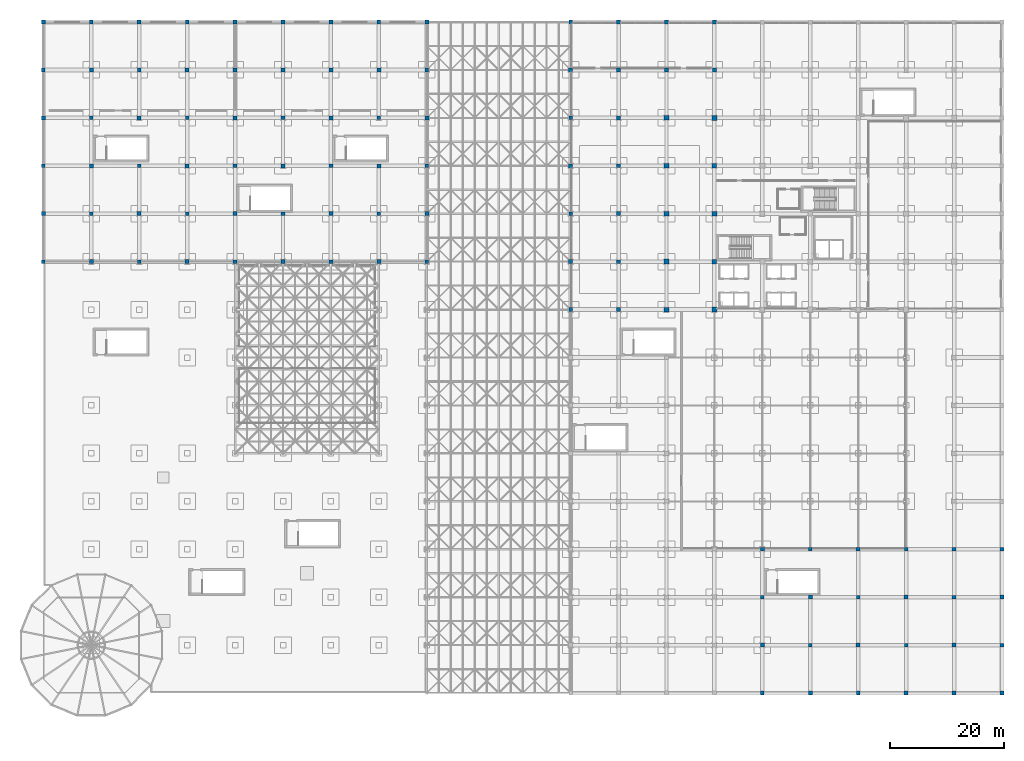
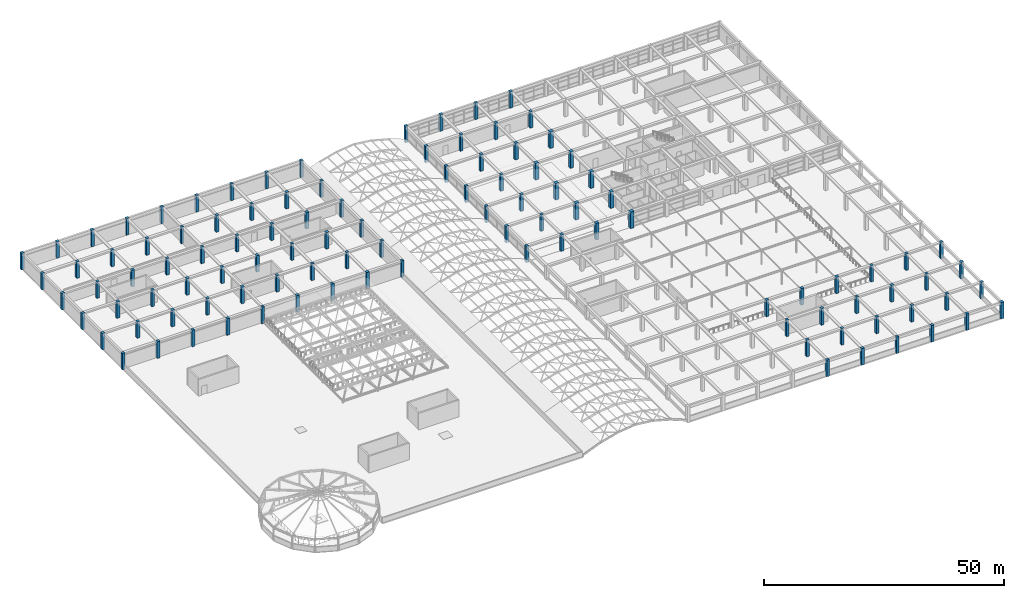
# One storey, part 6 of 85: 106 columns.
"""IFC4 building model written with IfcOpenShell, lengths in metres."""

from ifc_helpers import new_model, si_unit, direction, frame, origin, origin_2d, place, context, subcontext, project, spatial, rectangle, extrude, material, material_profile, profile_set, type_object, element, save


model = new_model("IFC4")

# Units and contexts
model_context = context("Model", 3, precision=1e-05, world=origin(), true_north=direction((0.0, 1.0)))
body_context = subcontext(model_context, "Body", "Model", "MODEL_VIEW")
ifc_project = project(units=[si_unit("LENGTHUNIT", "METRE"), si_unit("AREAUNIT", "SQUARE_METRE"), si_unit("VOLUMEUNIT", "CUBIC_METRE"), si_unit("PLANEANGLEUNIT", "RADIAN"), si_unit("MASSUNIT", "GRAM", prefix="KILO")], contexts=[model_context])

# Site, building, storey
site_placement = place(None, origin())
site = spatial("IfcSite", under=ifc_project, at=site_placement, CompositionType="ELEMENT")
building_placement = place(site_placement, origin())
building = spatial("IfcBuilding", under=site, at=building_placement, Name="Almacenes y Pasaje Nevantli", CompositionType="ELEMENT")
storey_placement = place(building_placement, frame((0.0, 0.0, 22.199951171875)))
storey = spatial("IfcBuildingStorey", under=building, at=storey_placement, Name="L05", CompositionType="ELEMENT", Elevation=22.199951171875)

# Columns
ifc_material_1 = material(Name="Concrete C45/55", Category="concrete")
ifc_material_profile_1 = material_profile(ifc_material_1, rectangle(XDim=0.64990234375, YDim=0.64990234375, at=origin_2d()), Name="RC-COL-650x650")
ifc_profile_set_1 = profile_set([ifc_material_profile_1], Name="Concrete C45/55")
column_type_1 = type_object("IfcColumnType", Name="COL-RC-650", PredefinedType="COLUMN", material=ifc_profile_set_1)
for number, where, z_axis, x_axis, name in (
    (1, (0.0, 75.60009765625, 0.0), (0.0, 0.0, 1.0), (1.0, 0.0, 0.0), "L05 Reinforced Concrete Column CL-07 #1862"),
    (2, (0.0, 92.39990234375, 0.0), (0.0, 0.0, 1.0), (1.0, 0.0, 0.0), "L05 Reinforced Concrete Column CL-07 #1864"),
    (3, (0.0, 109.199951171875, 0.0), (0.0, 0.0, 1.0), (1.0, 0.0, 0.0), "L05 Reinforced Concrete Column CL-07 #1866"),
    (4, (8.39990234375, 84.0, 0.0), (0.0, 0.0, 1.0), (1.0, 0.0, 0.0), "L05 Reinforced Concrete Column CL-07 #1869"),
    (5, (8.39990234375, 100.800048828125, 0.0), (0.0, 0.0, 1.0), (1.0, 0.0, 0.0), "L05 Reinforced Concrete Column CL-07 #1871"),
    (6, (8.39990234375, 117.60009765625, 0.0), (0.0, 0.0, 1.0), (1.0, 0.0, 0.0), "L05 Reinforced Concrete Column CL-07 #1873"),
    (7, (16.800048828125, 75.60009765625, 0.0), (0.0, 0.0, 1.0), (1.0, 0.0, 0.0), "L05 Reinforced Concrete Column CL-07 #1874"),
    (8, (16.800048828125, 92.39990234375, 0.0), (0.0, 0.0, 1.0), (1.0, 0.0, 0.0), "L05 Reinforced Concrete Column CL-07 #1876"),
    (9, (16.800048828125, 109.199951171875, 0.0), (0.0, 0.0, 1.0), (1.0, 0.0, 0.0), "L05 Reinforced Concrete Column CL-07 #1878"),
    (10, (25.199951171875, 84.0, 0.0), (0.0, 0.0, 1.0), (1.0, 0.0, 0.0), "L05 Reinforced Concrete Column CL-07 #1881"),
    (11, (25.199951171875, 100.800048828125, 0.0), (0.0, 0.0, 1.0), (1.0, 0.0, 0.0), "L05 Reinforced Concrete Column CL-07 #1883"),
    (12, (25.199951171875, 117.60009765625, 0.0), (0.0, 0.0, 1.0), (1.0, 0.0, 0.0), "L05 Reinforced Concrete Column CL-07 #1885"),
    (13, (33.60009765625, 75.60009765625, 0.0), (0.0, 0.0, 1.0), (1.0, 0.0, 0.0), "L05 Reinforced Concrete Column CL-07 #1886"),
    (14, (33.60009765625, 92.39990234375, 0.0), (0.0, 0.0, 1.0), (1.0, 0.0, 0.0), "L05 Reinforced Concrete Column CL-07 #1888"),
    (15, (33.60009765625, 109.199951171875, 0.0), (0.0, 0.0, 1.0), (1.0, 0.0, 0.0), "L05 Reinforced Concrete Column CL-07 #1890"),
    (16, (42.0, 84.0, 0.0), (0.0, 0.0, 1.0), (1.0, 0.0, 0.0), "L05 Reinforced Concrete Column CL-07 #1893"),
    (17, (42.0, 100.800048828125, 0.0), (0.0, 0.0, 1.0), (1.0, 0.0, 0.0), "L05 Reinforced Concrete Column CL-07 #1895"),
    (18, (42.0, 117.60009765625, 0.0), (0.0, 0.0, 1.0), (1.0, 0.0, 0.0), "L05 Reinforced Concrete Column CL-07 #1897"),
    (19, (50.39990234375, 75.60009765625, 0.0), (0.0, 0.0, 1.0), (1.0, 0.0, 0.0), "L05 Reinforced Concrete Column CL-07 #1898"),
    (20, (50.39990234375, 92.39990234375, 0.0), (0.0, 0.0, 1.0), (1.0, 0.0, 0.0), "L05 Reinforced Concrete Column CL-07 #1900"),
    (21, (50.39990234375, 109.199951171875, 0.0), (0.0, 0.0, 1.0), (1.0, 0.0, 0.0), "L05 Reinforced Concrete Column CL-07 #1902"),
    (22, (58.800048828125, 84.0, 0.0), (0.0, 0.0, 1.0), (1.0, 0.0, 0.0), "L05 Reinforced Concrete Column CL-07 #1905"),
    (23, (58.800048828125, 100.800048828125, 0.0), (0.0, 0.0, 1.0), (1.0, 0.0, 0.0), "L05 Reinforced Concrete Column CL-07 #1907"),
    (24, (58.800048828125, 117.60009765625, 0.0), (0.0, 0.0, 1.0), (1.0, 0.0, 0.0), "L05 Reinforced Concrete Column CL-07 #1909"),
    (25, (67.199951171875, 75.60009765625, 0.0), (0.0, 0.0, 1.0), (1.0, 0.0, 0.0), "L05 Reinforced Concrete Column CL-07 #1910"),
    (26, (67.199951171875, 92.39990234375, 0.0), (0.0, 0.0, 1.0), (1.0, 0.0, 0.0), "L05 Reinforced Concrete Column CL-07 #1912"),
    (27, (67.199951171875, 109.199951171875, 0.0), (0.0, 0.0, 1.0), (1.0, 0.0, 0.0), "L05 Reinforced Concrete Column CL-07 #1914"),
    (28, (92.39990234375, 67.199951171875, 0.0), (0.0, 0.0, 1.0), (1.0, 0.0, 0.0), "L05 Reinforced Concrete Column CL-07 #1924"),
    (29, (92.39990234375, 84.0, 0.0), (0.0, 0.0, 1.0), (1.0, 0.0, 0.0), "L05 Reinforced Concrete Column CL-07 #1926"),
    (30, (92.39990234375, 100.800048828125, 0.0), (0.0, 0.0, 1.0), (1.0, 0.0, 0.0), "L05 Reinforced Concrete Column CL-07 #1928"),
    (31, (92.39990234375, 117.60009765625, 0.0), (0.0, 0.0, 1.0), (1.0, 0.0, 0.0), "L05 Reinforced Concrete Column CL-07 #1930"),
    (32, (100.800048828125, 75.60009765625, 0.0), (0.0, 0.0, 1.0), (1.0, 0.0, 0.0), "L05 Reinforced Concrete Column CL-07 #1940"),
    (33, (100.800048828125, 92.39990234375, 0.0), (0.0, 0.0, 1.0), (1.0, 0.0, 0.0), "L05 Reinforced Concrete Column CL-07 #1942"),
    (34, (100.800048828125, 109.199951171875, 0.0), (0.0, 0.0, 1.0), (1.0, 0.0, 0.0), "L05 Reinforced Concrete Column CL-07 #1944"),
    (35, (109.199951171875, 117.60009765625, 0.0), (0.0, 0.0, 1.0), (1.0, 0.0, 0.0), "L05 Reinforced Concrete Column CL-07 #1960"),
    (36, (117.60009765625, 109.199951171875, 0.0), (0.0, 0.0, 1.0), (1.0, 0.0, 0.0), "L05 Reinforced Concrete Column CL-07 #1970"),
    (37, (126.0, 0.0, 0.0), (0.0, 0.0, 1.0), (1.0, 0.0, 0.0), "L05 Reinforced Concrete Column CL-07 #1972"),
    (38, (126.0, 16.800048828125, 0.0), (0.0, 0.0, 1.0), (1.0, 0.0, 0.0), "L05 Reinforced Concrete Column CL-07 #1974"),
    (39, (134.39990234375, 8.39990234375, 0.0), (0.0, 0.0, 1.0), (1.0, 0.0, 0.0), "L05 Reinforced Concrete Column CL-07 #1984"),
    (40, (134.39990234375, 25.199951171875, 0.0), (0.0, 0.0, 1.0), (1.0, 0.0, 0.0), "L05 Reinforced Concrete Column CL-07 #1986"),
    (41, (142.800048828125, 0.0, 0.0), (0.0, 0.0, 1.0), (1.0, 0.0, 0.0), "L05 Reinforced Concrete Column CL-07 #1994"),
    (42, (142.800048828125, 16.800048828125, 0.0), (0.0, 0.0, 1.0), (1.0, 0.0, 0.0), "L05 Reinforced Concrete Column CL-07 #1996"),
    (43, (151.199951171875, 8.39990234375, 0.0), (0.0, 0.0, 1.0), (1.0, 0.0, 0.0), "L05 Reinforced Concrete Column CL-07 #2006"),
    (44, (151.199951171875, 25.199951171875, 0.0), (0.0, 0.0, 1.0), (1.0, 0.0, 0.0), "L05 Reinforced Concrete Column CL-07 #2008"),
    (45, (159.60009765625, 0.0, 0.0), (0.0, 0.0, 1.0), (1.0, 0.0, 0.0), "L05 Reinforced Concrete Column CL-07 #2016"),
    (46, (159.60009765625, 16.800048828125, 0.0), (0.0, 0.0, 1.0), (1.0, 0.0, 0.0), "L05 Reinforced Concrete Column CL-07 #2018"),
    (47, (168.0, 8.39990234375, 0.0), (0.0, 0.0, 1.0), (1.0, 0.0, 0.0), "L05 Reinforced Concrete Column CL-07 #2032"),
    (48, (168.0, 25.199951171875, 0.0), (0.0, 0.0, 1.0), (1.0, 0.0, 0.0), "L05 Reinforced Concrete Column CL-07 #2034"),
):
    element("IfcColumn", number, at=place(storey_placement, frame(where, z_axis=z_axis, x_axis=x_axis)), inside=storey, type_object=column_type_1, Name=name, PredefinedType="COLUMN", context=body_context, shape_type="SweptSolid", body=[
        extrude(rectangle(XDim=0.64990234375, YDim=0.64990234375, at=origin_2d()), origin(), (0.0, 0.0, 1.0), 4.219970703125),
    ])
ifc_material_2 = material(Name="Concrete C45/55", Category="concrete")
ifc_material_profile_2 = material_profile(ifc_material_2, rectangle(XDim=0.699951171875, YDim=0.699951171875, at=origin_2d()), Name="RC-COL-700x700")
ifc_profile_set_2 = profile_set([ifc_material_profile_2], Name="Concrete C45/55")
column_type_2 = type_object("IfcColumnType", Name="COL-RC-700", PredefinedType="COLUMN", material=ifc_profile_set_2)
for number, where, z_axis, x_axis, name in (
    (49, (0.0, 84.0, 0.0), (0.0, 0.0, 1.0), (1.0, 0.0, 0.0), "L05 Reinforced Concrete Column CL-06 #1863"),
    (50, (0.0, 100.800048828125, 0.0), (0.0, 0.0, 1.0), (1.0, 0.0, 0.0), "L05 Reinforced Concrete Column CL-06 #1865"),
    (51, (0.0, 117.60009765625, 0.0), (0.0, 0.0, 1.0), (1.0, 0.0, 0.0), "L05 Reinforced Concrete Column CL-06 #1867"),
    (52, (8.39990234375, 75.60009765625, 0.0), (0.0, 0.0, 1.0), (1.0, 0.0, 0.0), "L05 Reinforced Concrete Column CL-06 #1868"),
    (53, (8.39990234375, 92.39990234375, 0.0), (0.0, 0.0, 1.0), (1.0, 0.0, 0.0), "L05 Reinforced Concrete Column CL-06 #1870"),
    (54, (8.39990234375, 109.199951171875, 0.0), (0.0, 0.0, 1.0), (1.0, 0.0, 0.0), "L05 Reinforced Concrete Column CL-06 #1872"),
    (55, (16.800048828125, 84.0, 0.0), (0.0, 0.0, 1.0), (1.0, 0.0, 0.0), "L05 Reinforced Concrete Column CL-06 #1875"),
    (56, (16.800048828125, 100.800048828125, 0.0), (0.0, 0.0, 1.0), (1.0, 0.0, 0.0), "L05 Reinforced Concrete Column CL-06 #1877"),
    (57, (16.800048828125, 117.60009765625, 0.0), (0.0, 0.0, 1.0), (1.0, 0.0, 0.0), "L05 Reinforced Concrete Column CL-06 #1879"),
    (58, (25.199951171875, 75.60009765625, 0.0), (0.0, 0.0, 1.0), (1.0, 0.0, 0.0), "L05 Reinforced Concrete Column CL-06 #1880"),
    (59, (25.199951171875, 92.39990234375, 0.0), (0.0, 0.0, 1.0), (1.0, 0.0, 0.0), "L05 Reinforced Concrete Column CL-06 #1882"),
    (60, (25.199951171875, 109.199951171875, 0.0), (0.0, 0.0, 1.0), (1.0, 0.0, 0.0), "L05 Reinforced Concrete Column CL-06 #1884"),
    (61, (33.60009765625, 84.0, 0.0), (0.0, 0.0, 1.0), (1.0, 0.0, 0.0), "L05 Reinforced Concrete Column CL-06 #1887"),
    (62, (33.60009765625, 100.800048828125, 0.0), (0.0, 0.0, 1.0), (1.0, 0.0, 0.0), "L05 Reinforced Concrete Column CL-06 #1889"),
    (63, (33.60009765625, 117.60009765625, 0.0), (0.0, 0.0, 1.0), (1.0, 0.0, 0.0), "L05 Reinforced Concrete Column CL-06 #1891"),
    (64, (42.0, 75.60009765625, 0.0), (0.0, 0.0, 1.0), (1.0, 0.0, 0.0), "L05 Reinforced Concrete Column CL-06 #1892"),
    (65, (42.0, 92.39990234375, 0.0), (0.0, 0.0, 1.0), (1.0, 0.0, 0.0), "L05 Reinforced Concrete Column CL-06 #1894"),
    (66, (42.0, 109.199951171875, 0.0), (0.0, 0.0, 1.0), (1.0, 0.0, 0.0), "L05 Reinforced Concrete Column CL-06 #1896"),
    (67, (50.39990234375, 84.0, 0.0), (0.0, 0.0, 1.0), (1.0, 0.0, 0.0), "L05 Reinforced Concrete Column CL-06 #1899"),
    (68, (50.39990234375, 100.800048828125, 0.0), (0.0, 0.0, 1.0), (1.0, 0.0, 0.0), "L05 Reinforced Concrete Column CL-06 #1901"),
    (69, (50.39990234375, 117.60009765625, 0.0), (0.0, 0.0, 1.0), (1.0, 0.0, 0.0), "L05 Reinforced Concrete Column CL-06 #1903"),
    (70, (58.800048828125, 75.60009765625, 0.0), (0.0, 0.0, 1.0), (1.0, 0.0, 0.0), "L05 Reinforced Concrete Column CL-06 #1904"),
    (71, (58.800048828125, 92.39990234375, 0.0), (0.0, 0.0, 1.0), (1.0, 0.0, 0.0), "L05 Reinforced Concrete Column CL-06 #1906"),
    (72, (58.800048828125, 109.199951171875, 0.0), (0.0, 0.0, 1.0), (1.0, 0.0, 0.0), "L05 Reinforced Concrete Column CL-06 #1908"),
    (73, (67.199951171875, 84.0, 0.0), (0.0, 0.0, 1.0), (1.0, 0.0, 0.0), "L05 Reinforced Concrete Column CL-06 #1911"),
    (74, (67.199951171875, 100.800048828125, 0.0), (0.0, 0.0, 1.0), (1.0, 0.0, 0.0), "L05 Reinforced Concrete Column CL-06 #1913"),
    (75, (67.199951171875, 117.60009765625, 0.0), (0.0, 0.0, 1.0), (1.0, 0.0, 0.0), "L05 Reinforced Concrete Column CL-06 #1915"),
    (76, (92.39990234375, 75.60009765625, 0.0), (0.0, 0.0, 1.0), (1.0, 0.0, 0.0), "L05 Reinforced Concrete Column CL-06 #1925"),
    (77, (92.39990234375, 92.39990234375, 0.0), (0.0, 0.0, 1.0), (1.0, 0.0, 0.0), "L05 Reinforced Concrete Column CL-06 #1927"),
    (78, (92.39990234375, 109.199951171875, 0.0), (0.0, 0.0, 1.0), (1.0, 0.0, 0.0), "L05 Reinforced Concrete Column CL-06 #1929"),
    (79, (100.800048828125, 67.199951171875, 0.0), (0.0, 0.0, 1.0), (1.0, 0.0, 0.0), "L05 Reinforced Concrete Column CL-06 #1939"),
    (80, (100.800048828125, 84.0, 0.0), (0.0, 0.0, 1.0), (1.0, 0.0, 0.0), "L05 Reinforced Concrete Column CL-06 #1941"),
    (81, (100.800048828125, 100.800048828125, 0.0), (0.0, 0.0, 1.0), (1.0, 0.0, 0.0), "L05 Reinforced Concrete Column CL-06 #1943"),
    (82, (100.800048828125, 117.60009765625, 0.0), (0.0, 0.0, 1.0), (1.0, 0.0, 0.0), "L05 Reinforced Concrete Column CL-06 #1945"),
    (83, (109.199951171875, 109.199951171875, 0.0), (0.0, 0.0, 1.0), (1.0, 0.0, 0.0), "L05 Reinforced Concrete Column CL-06 #1959"),
    (84, (117.60009765625, 117.60009765625, 0.0), (0.0, 0.0, 1.0), (1.0, 0.0, 0.0), "L05 Reinforced Concrete Column CL-06 #1971"),
    (85, (126.0, 8.39990234375, 0.0), (0.0, 0.0, 1.0), (1.0, 0.0, 0.0), "L05 Reinforced Concrete Column CL-06 #1973"),
    (86, (126.0, 25.199951171875, 0.0), (0.0, 0.0, 1.0), (1.0, 0.0, 0.0), "L05 Reinforced Concrete Column CL-06 #1975"),
    (87, (134.39990234375, 0.0, 0.0), (0.0, 0.0, 1.0), (1.0, 0.0, 0.0), "L05 Reinforced Concrete Column CL-06 #1983"),
    (88, (134.39990234375, 16.800048828125, 0.0), (0.0, 0.0, 1.0), (1.0, 0.0, 0.0), "L05 Reinforced Concrete Column CL-06 #1985"),
    (89, (142.800048828125, 8.39990234375, 0.0), (0.0, 0.0, 1.0), (1.0, 0.0, 0.0), "L05 Reinforced Concrete Column CL-06 #1995"),
    (90, (142.800048828125, 25.199951171875, 0.0), (0.0, 0.0, 1.0), (1.0, 0.0, 0.0), "L05 Reinforced Concrete Column CL-06 #1997"),
    (91, (151.199951171875, 0.0, 0.0), (0.0, 0.0, 1.0), (1.0, 0.0, 0.0), "L05 Reinforced Concrete Column CL-06 #2005"),
    (92, (151.199951171875, 16.800048828125, 0.0), (0.0, 0.0, 1.0), (1.0, 0.0, 0.0), "L05 Reinforced Concrete Column CL-06 #2007"),
    (93, (159.60009765625, 8.39990234375, 0.0), (0.0, 0.0, 1.0), (1.0, 0.0, 0.0), "L05 Reinforced Concrete Column CL-06 #2017"),
    (94, (159.60009765625, 25.199951171875, 0.0), (0.0, 0.0, 1.0), (1.0, 0.0, 0.0), "L05 Reinforced Concrete Column CL-06 #2019"),
    (95, (168.0, 0.0, 0.0), (0.0, 0.0, 1.0), (1.0, 0.0, 0.0), "L05 Reinforced Concrete Column CL-06 #2031"),
    (96, (168.0, 16.800048828125, 0.0), (0.0, 0.0, 1.0), (1.0, 0.0, 0.0), "L05 Reinforced Concrete Column CL-06 #2033"),
):
    element("IfcColumn", number, at=place(storey_placement, frame(where, z_axis=z_axis, x_axis=x_axis)), inside=storey, type_object=column_type_2, Name=name, PredefinedType="COLUMN", context=body_context, shape_type="SweptSolid", body=[
        extrude(rectangle(XDim=0.699951171875, YDim=0.699951171875, at=origin_2d()), origin(), (0.0, 0.0, 1.0), 4.219970703125),
    ])
ifc_material_3 = material(Name="Concrete C45/55", Category="concrete")
ifc_material_profile_3 = material_profile(ifc_material_3, rectangle(XDim=0.800048828125, YDim=0.800048828125, at=origin_2d()), Name="RC-COL-800x800")
ifc_profile_set_3 = profile_set([ifc_material_profile_3], Name="Concrete C45/55")
column_type_3 = type_object("IfcColumnType", Name="COL-RC-800", PredefinedType="COLUMN", material=ifc_profile_set_3)
for number, where, z_axis, x_axis, name in (
    (97, (109.199951171875, 67.199951171875, 0.0), (0.0, 0.0, 1.0), (1.0, 0.0, 0.0), "L05 Reinforced Concrete Column CL-04 #1954"),
    (98, (109.199951171875, 84.0, 0.0), (0.0, 0.0, 1.0), (1.0, 0.0, 0.0), "L05 Reinforced Concrete Column CL-04 #1956"),
    (99, (109.199951171875, 100.800048828125, 0.0), (0.0, 0.0, 1.0), (1.0, 0.0, 0.0), "L05 Reinforced Concrete Column CL-04 #1958"),
    (100, (117.60009765625, 75.60009765625, 0.0), (0.0, 0.0, 1.0), (1.0, 0.0, 0.0), "L05 Reinforced Concrete Column CL-04 #1966"),
    (101, (117.60009765625, 92.39990234375, 0.0), (0.0, 0.0, 1.0), (1.0, 0.0, 0.0), "L05 Reinforced Concrete Column CL-04 #1968"),
):
    element("IfcColumn", number, at=place(storey_placement, frame(where, z_axis=z_axis, x_axis=x_axis)), inside=storey, type_object=column_type_3, Name=name, PredefinedType="COLUMN", context=body_context, shape_type="SweptSolid", body=[
        extrude(rectangle(XDim=0.800048828125, YDim=0.800048828125, at=origin_2d()), origin(), (0.0, 0.0, 1.0), 4.219970703125),
    ])
ifc_material_4 = material(Name="Concrete C45/55", Category="concrete")
ifc_material_profile_4 = material_profile(ifc_material_4, rectangle(XDim=0.85009765625, YDim=0.85009765625, at=origin_2d()), Name="RC-COL-850x850")
ifc_profile_set_4 = profile_set([ifc_material_profile_4], Name="Concrete C45/55")
column_type_4 = type_object("IfcColumnType", Name="COL-RC-850", PredefinedType="COLUMN", material=ifc_profile_set_4)
for number, where, z_axis, x_axis, name in (
    (102, (109.199951171875, 75.60009765625, 0.0), (0.0, 0.0, 1.0), (1.0, 0.0, 0.0), "L05 Reinforced Concrete Column CL-03 #1955"),
    (103, (109.199951171875, 92.39990234375, 0.0), (0.0, 0.0, 1.0), (1.0, 0.0, 0.0), "L05 Reinforced Concrete Column CL-03 #1957"),
    (104, (117.60009765625, 67.199951171875, 0.0), (0.0, 0.0, 1.0), (1.0, 0.0, 0.0), "L05 Reinforced Concrete Column CL-03 #1965"),
    (105, (117.60009765625, 84.0, 0.0), (0.0, 0.0, 1.0), (1.0, 0.0, 0.0), "L05 Reinforced Concrete Column CL-03 #1967"),
    (106, (117.60009765625, 100.800048828125, 0.0), (0.0, 0.0, 1.0), (1.0, 0.0, 0.0), "L05 Reinforced Concrete Column CL-03 #1969"),
):
    element("IfcColumn", number, at=place(storey_placement, frame(where, z_axis=z_axis, x_axis=x_axis)), inside=storey, type_object=column_type_4, Name=name, PredefinedType="COLUMN", context=body_context, shape_type="SweptSolid", body=[
        extrude(rectangle(XDim=0.85009765625, YDim=0.85009765625, at=origin_2d()), origin(), (0.0, 0.0, 1.0), 4.219970703125),
    ])

save(model, "model.ifc")
